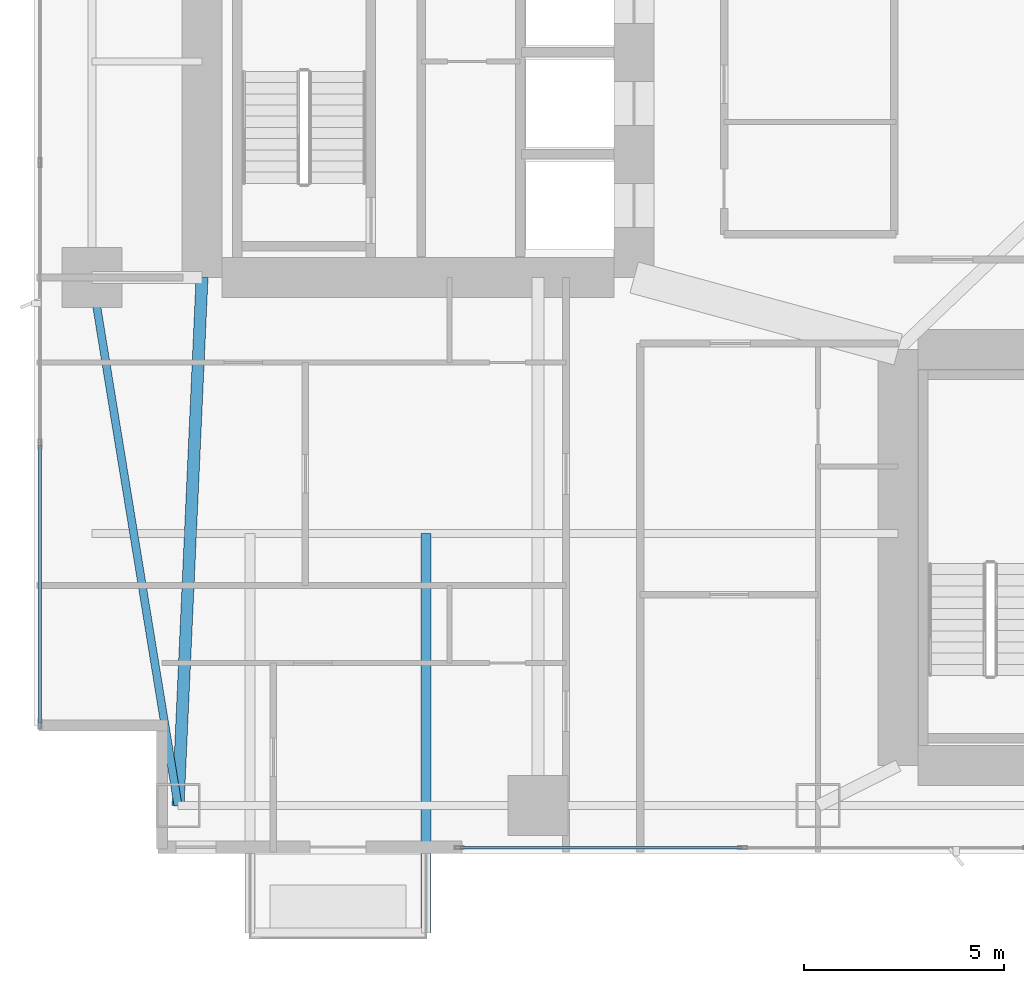
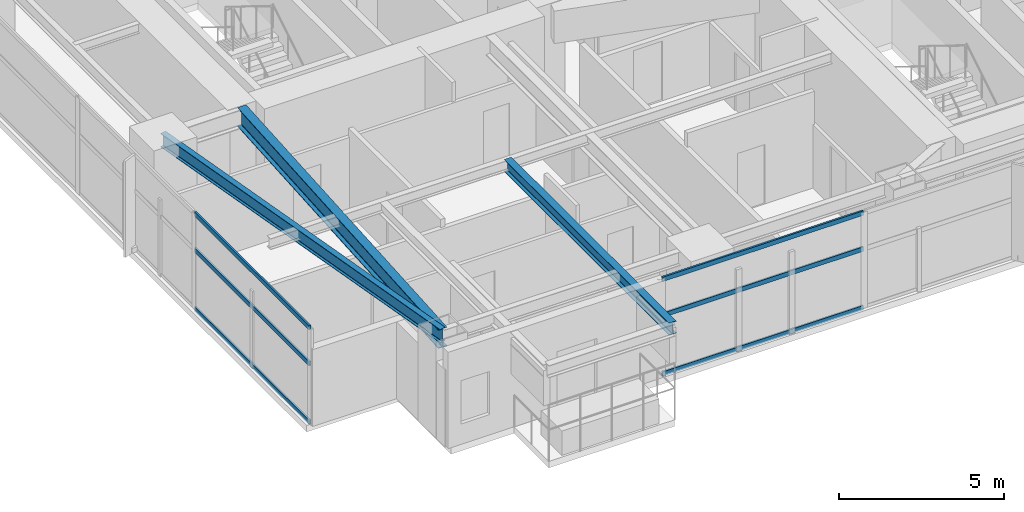
# One storey, part 3 of 30: 6 members, 3 beams, 2 elements without a shape of their own.
"""IFC4 building model written with IfcOpenShell, lengths in metres."""

from ifc_helpers import new_model, si_unit, direction, frame, origin, origin_2d, place, context, subcontext, project, spatial, hollow_rectangle, i_section, extrude, material, layer, layer_set, material_profile, profile_set, type_object, element, aggregate, save


model = new_model("IFC4")

# Units and contexts
model_context = context("Model", 3, precision=1e-05, world=origin(), true_north=direction((0.0, 1.0)))
body_context = subcontext(model_context, "Body", "Model", "MODEL_VIEW")
ifc_project = project(units=[si_unit("LENGTHUNIT", "METRE"), si_unit("AREAUNIT", "SQUARE_METRE"), si_unit("VOLUMEUNIT", "CUBIC_METRE"), si_unit("PLANEANGLEUNIT", "RADIAN"), si_unit("MASSUNIT", "GRAM", prefix="KILO")], contexts=[model_context])

# Site, building, storey
site_placement = place(None, origin())
site = spatial("IfcSite", under=ifc_project, at=site_placement, CompositionType="ELEMENT")
building_placement = place(site_placement, origin())
building = spatial("IfcBuilding", under=site, at=building_placement, Name="Calvorn Quay Hotel", CompositionType="ELEMENT")
storey_placement = place(building_placement, frame((0.0, 0.0, 27.0)))
storey = spatial("IfcBuildingStorey", under=building, at=storey_placement, Name="L05", CompositionType="ELEMENT", Elevation=27.0)

# Beams
ifc_material_1 = material(Name="Steel Q355B", Category="steel")
ifc_material_profile_1 = material_profile(ifc_material_1, i_section(OverallWidth=0.25, OverallDepth=0.449951171875, WebThickness=0.011962890625, FlangeThickness=0.01611328125, FilletRadius=0.01611328125, at=origin_2d()), Name="HN450x250x12x16")
ifc_profile_set_1 = profile_set([ifc_material_profile_1], Name="Steel Q355B")
beam_type_1 = type_object("IfcBeamType", Name="BM-CANT-BALC", PredefinedType="BEAM", material=ifc_profile_set_1)
beam_1_placement = place(storey_placement, frame((9.800048828125, 10.39990234375, 3.31494140625), z_axis=(0.0, -1.0, 0.0), x_axis=(1.0, 0.0, 0.0)))
element("IfcBeam", 1, at=beam_1_placement, inside=storey, type_object=beam_type_1, Name="Cantilever Balcony Beam BCB-L06-2B", PredefinedType="BEAM", context=body_context, shape_type="SweptSolid", body=[
    extrude(i_section(OverallWidth=0.25, OverallDepth=0.449951171875, WebThickness=0.011962890625, FlangeThickness=0.01611328125, FilletRadius=0.01611328125, at=origin_2d()), origin(), (0.0, 0.0, 1.0), 9.989990234375),
])
ifc_material_2 = material(Name="Steel Q390GJC", Category="steel")
ifc_material_profile_2 = material_profile(ifc_material_2, i_section(OverallWidth=0.300048828125, OverallDepth=0.699951171875, WebThickness=0.012939453125, FlangeThickness=0.02392578125, FilletRadius=0.02392578125, at=origin_2d()), Name="HN700x300x13x24")
ifc_profile_set_2 = profile_set([ifc_material_profile_2], Name="Steel Q390GJC")
beam_type_2 = type_object("IfcBeamType", Name="BM-GIRD-MAIN", PredefinedType="BEAM", material=ifc_profile_set_2)
beam_2_placement = place(storey_placement, frame((3.60009765625, 3.60009765625, 3.18994140625), z_axis=(0.045396765494, 0.998969035397, 0.0), x_axis=(-0.998969035397, 0.045396765494, 0.0)))
element("IfcBeam", 2, at=beam_2_placement, inside=storey, type_object=beam_type_2, Name="Beam BG-L05-W0", PredefinedType="BEAM", context=body_context, shape_type="SweptSolid", body=[
    extrude(i_section(OverallWidth=0.300048828125, OverallDepth=0.699951171875, WebThickness=0.012939453125, FlangeThickness=0.02392578125, FilletRadius=0.02392578125, at=origin_2d()), origin(), (0.0, 0.0, 1.0), 13.213623046875),
])
ifc_material_3 = material(Name="Steel Q355B", Category="steel")
ifc_material_profile_3 = material_profile(ifc_material_3, i_section(OverallWidth=0.199951171875, OverallDepth=0.5, WebThickness=0.010009765625, FlangeThickness=0.01611328125, FilletRadius=0.01611328125, at=origin_2d()), Name="HN500x200x10x16")
ifc_profile_set_3 = profile_set([ifc_material_profile_3], Name="Steel Q355B")
beam_type_3 = type_object("IfcBeamType", Name="BM-SPANDREL-Z1", PredefinedType="SPANDREL", material=ifc_profile_set_3)
beam_3_placement = place(storey_placement, frame((3.60009765625, 3.60009765625, 3.2900390625), z_axis=(-0.16077155054, 0.986991645627, 0.0), x_axis=(-0.986991645627, -0.16077155054, 0.0)))
element("IfcBeam", 3, at=beam_3_placement, inside=storey, type_object=beam_type_3, Name="Beam BSP-L05-W1", PredefinedType="SPANDREL", context=body_context, shape_type="SweptSolid", body=[
    extrude(i_section(OverallWidth=0.199951171875, OverallDepth=0.5, WebThickness=0.010009765625, FlangeThickness=0.01611328125, FilletRadius=0.01611328125, at=origin_2d()), origin(), (0.0, 0.0, 1.0), 13.3740234375),
])

# Curtain wall, members
ifc_material_4 = material(Name="Pale Anodised Aluminium and Low-E Glass", Category="aluminium")
ifc_layer = layer(ifc_material_4, 0.219970703125)
ifc_layer_set = layer_set([ifc_layer], Name="CW-SYS-Z1")
curtain_wall_type = type_object("IfcCurtainWallType", Name="CW-SYS-Z1", PredefinedType="NOTDEFINED", material=ifc_layer_set)
curtain_wall_1_placement = place(storey_placement, origin())
curtain_wall_1 = element("IfcCurtainWall", 4, at=curtain_wall_1_placement, inside=storey, type_object=curtain_wall_type, Name="Tower West Curtain Wall (L05)", PredefinedType="NOTDEFINED")
ifc_material_5 = material(Name="Pale Anodised Aluminium 6063-T6", Category="aluminium")
ifc_material_profile_4 = material_profile(ifc_material_5, hollow_rectangle(XDim=0.06494140625, YDim=0.1650390625, WallThickness=0.00341796875, at=origin_2d()), Name="ALU-T165x65x3.5")
ifc_profile_set_4 = profile_set([ifc_material_profile_4], Name="Pale Anodised Aluminium 6063-T6")
member_type = type_object("IfcMemberType", Name="CW-SYS-Z1-TRN", PredefinedType="USERDEFINED", material=ifc_profile_set_4)
member_1_placement = place(storey_placement, frame((0.14990234375, 5.659912109375, 0.030029296875), z_axis=(0.0, 1.0, 0.0), x_axis=(-1.0, 0.0, 0.0)))
member_1 = element("IfcMember", 5, at=member_1_placement, type_object=member_type, Name="CW-L05-W transom 1.1", ObjectType="TRANSOM", PredefinedType="USERDEFINED", context=body_context, shape_type="SweptSolid", body=[
    extrude(hollow_rectangle(XDim=0.06494140625, YDim=0.1650390625, WallThickness=0.00341796875, at=origin_2d()), origin(), (0.0, 0.0, 1.0), 6.943359375),
])
member_2_placement = place(storey_placement, frame((0.14990234375, 5.659912109375, 2.199951171875), z_axis=(0.0, 1.0, 0.0), x_axis=(-1.0, 0.0, 0.0)))
member_2 = element("IfcMember", 6, at=member_2_placement, type_object=member_type, Name="CW-L05-W transom 1.2", ObjectType="TRANSOM", PredefinedType="USERDEFINED", context=body_context, shape_type="SweptSolid", body=[
    extrude(hollow_rectangle(XDim=0.06494140625, YDim=0.1650390625, WallThickness=0.00341796875, at=origin_2d()), origin(), (0.0, 0.0, 1.0), 6.943359375),
])
member_3_placement = place(storey_placement, frame((0.14990234375, 5.659912109375, 3.530029296875), z_axis=(0.0, 1.0, 0.0), x_axis=(-1.0, 0.0, 0.0)))
member_3 = element("IfcMember", 7, at=member_3_placement, type_object=member_type, Name="CW-L05-W transom 1.3", ObjectType="TRANSOM", PredefinedType="USERDEFINED", context=body_context, shape_type="SweptSolid", body=[
    extrude(hollow_rectangle(XDim=0.06494140625, YDim=0.1650390625, WallThickness=0.00341796875, at=origin_2d()), origin(), (0.0, 0.0, 1.0), 6.943359375),
])
aggregate(curtain_wall_1, [member_1, member_2, member_3])

curtain_wall_2_placement = place(storey_placement, origin())
curtain_wall_2 = element("IfcCurtainWall", 8, at=curtain_wall_2_placement, inside=storey, type_object=curtain_wall_type, Name="Tower South Waterfront Curtain Wall (L05)", PredefinedType="NOTDEFINED")
member_4_placement = place(storey_placement, frame((10.659912109375, 2.550048828125, 0.030029296875), z_axis=(1.0, 0.0, 0.0), x_axis=(0.0, 1.0, 0.0)))
member_4 = element("IfcMember", 9, at=member_4_placement, type_object=member_type, Name="CW-L05-S transom 1.1", ObjectType="TRANSOM", PredefinedType="USERDEFINED", context=body_context, shape_type="SweptSolid", body=[
    extrude(hollow_rectangle(XDim=0.06494140625, YDim=0.1650390625, WallThickness=0.00341796875, at=origin_2d()), origin(), (0.0, 0.0, 1.0), 7.0244140625),
])
member_5_placement = place(storey_placement, frame((10.659912109375, 2.550048828125, 2.199951171875), z_axis=(1.0, 0.0, 0.0), x_axis=(0.0, 1.0, 0.0)))
member_5 = element("IfcMember", 10, at=member_5_placement, type_object=member_type, Name="CW-L05-S transom 1.2", ObjectType="TRANSOM", PredefinedType="USERDEFINED", context=body_context, shape_type="SweptSolid", body=[
    extrude(hollow_rectangle(XDim=0.06494140625, YDim=0.1650390625, WallThickness=0.00341796875, at=origin_2d()), origin(), (0.0, 0.0, 1.0), 7.0244140625),
])
member_6_placement = place(storey_placement, frame((10.659912109375, 2.550048828125, 3.530029296875), z_axis=(1.0, 0.0, 0.0), x_axis=(0.0, 1.0, 0.0)))
member_6 = element("IfcMember", 11, at=member_6_placement, type_object=member_type, Name="CW-L05-S transom 1.3", ObjectType="TRANSOM", PredefinedType="USERDEFINED", context=body_context, shape_type="SweptSolid", body=[
    extrude(hollow_rectangle(XDim=0.06494140625, YDim=0.1650390625, WallThickness=0.00341796875, at=origin_2d()), origin(), (0.0, 0.0, 1.0), 7.0244140625),
])
aggregate(curtain_wall_2, [member_4, member_5, member_6])

save(model, "model.ifc")
